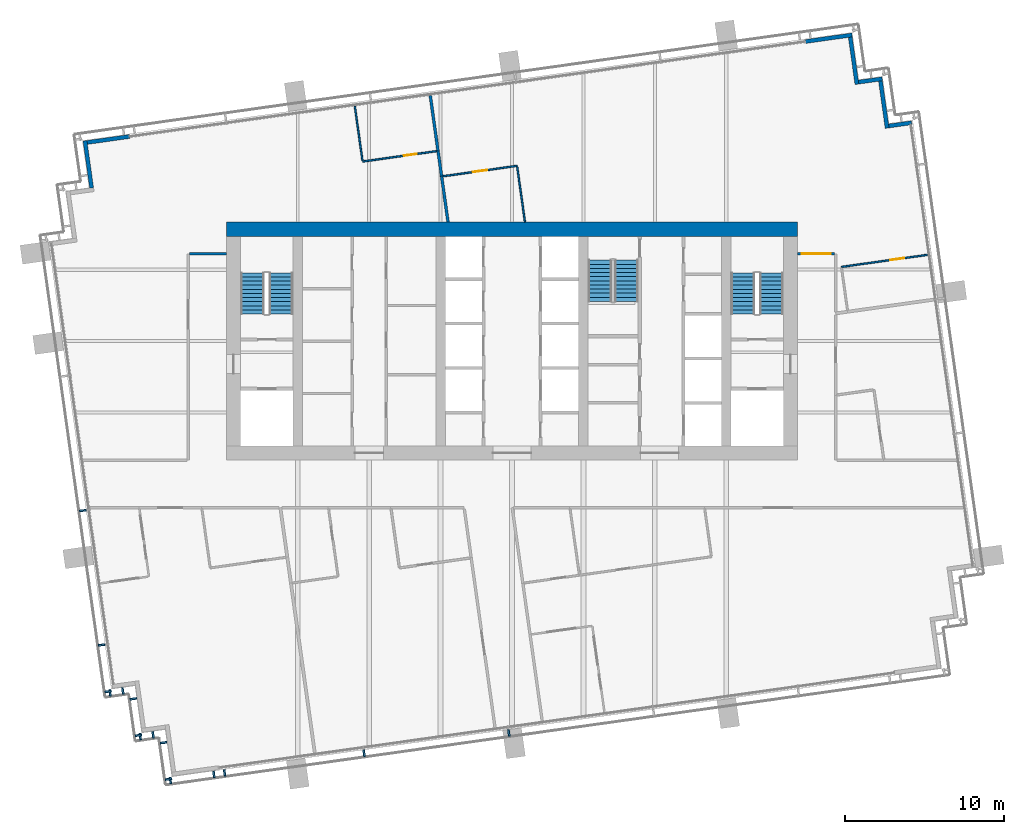
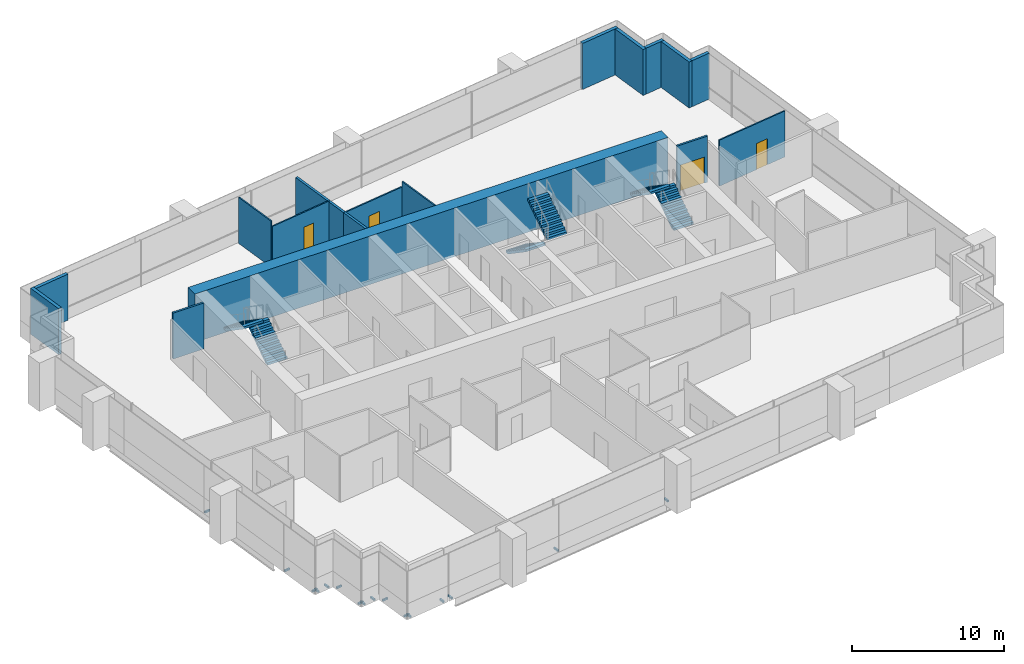
# One storey, part 12 of 18: 18 walls, 16 discrete accessories, 6 stair flights, 4 doors, 4 openings, 3 elements without a shape of their own.
"""IFC4 building model written with IfcOpenShell, lengths in metres."""

from ifc_helpers import new_model, si_unit, direction, frame, frame_2d, origin, origin_2d, place, context, subcontext, project, spatial, polyline, rectangle, outline, extrude, material, layer, layer_set, type_object, element, fill, aggregate, save


model = new_model("IFC4")

# Units and contexts
model_context = context("Model", 3, precision=1e-05, world=origin(), true_north=direction((0.0, 1.0)))
body_context = subcontext(model_context, "Body", "Model", "MODEL_VIEW")
ifc_project = project(units=[si_unit("LENGTHUNIT", "METRE"), si_unit("AREAUNIT", "SQUARE_METRE"), si_unit("VOLUMEUNIT", "CUBIC_METRE"), si_unit("PLANEANGLEUNIT", "RADIAN"), si_unit("MASSUNIT", "GRAM", prefix="KILO")], contexts=[model_context])

# Site, building, storey
site_placement = place(None, origin())
site = spatial("IfcSite", under=ifc_project, at=site_placement, CompositionType="ELEMENT")
building_placement = place(site_placement, origin())
building = spatial("IfcBuilding", under=site, at=building_placement, Name="Rattan Terrace Tower", CompositionType="ELEMENT")
storey_placement = place(building_placement, frame((0.0, 0.0, 176.300048828125)))
storey = spatial("IfcBuildingStorey", under=building, at=storey_placement, Name="L40", CompositionType="ELEMENT", Elevation=176.300048828125)

# Walls
ifc_material_1 = material(Name="Concrete C60/75", Category="concrete")
ifc_layer_1 = layer(ifc_material_1, 0.89990234375)
ifc_layer_set_1 = layer_set([ifc_layer_1], Name="Core ring wall 900 C60/75")
wall_type_1 = type_object("IfcWallType", Name="Core ring wall 900 C60/75", PredefinedType="SHEAR", material=ifc_layer_set_1)
wall_1_placement = place(storey_placement, frame((-18.0, 7.050048828125, -0.199951171875), z_axis=(0.0, 0.0, 1.0), x_axis=(1.0, 0.0, 0.0)))
element("IfcWall", 1, at=wall_1_placement, inside=storey, type_object=wall_type_1, Name="Rear core wall north", PredefinedType="SHEAR", context=body_context, shape_type="SweptSolid", body=[
    extrude(rectangle(XDim=36.0, YDim=0.89990234375, at=frame_2d((18.0, 0.0))), origin(), (0.0, 0.0, 1.0), 3.89990234375),
])
ifc_material_2 = material(Name="Insulated aluminium-clad stud wall", Category="aluminium")
ifc_layer_2 = layer(ifc_material_2, 0.25)
ifc_layer_set_2 = layer_set([ifc_layer_2], Name="Facade Riser Wall 250")
wall_type_2 = type_object("IfcWallType", Name="Facade Riser Wall 250", PredefinedType="SOLIDWALL", material=ifc_layer_set_2)
wall_2_placement = place(storey_placement, frame((25.18359375, 13.758056640625, 0.0), z_axis=(0.0, 0.0, 1.0), x_axis=(-0.9902493448, -0.13930626376, 0.0)))
element("IfcWall", 2, at=wall_2_placement, inside=storey, type_object=wall_type_2, Name="Riser wall L40-6", PredefinedType="SOLIDWALL", context=body_context, shape_type="SweptSolid", body=[
    extrude(rectangle(XDim=1.45458984375, YDim=0.25, at=frame_2d((0.727294921875, 0.0))), origin(), (0.0, 0.0, 1.0), 3.699951171875),
])
wall_3_placement = place(storey_placement, frame((23.63671875, 13.414306640625, 0.0), z_axis=(0.0, 0.0, 1.0), x_axis=(-0.139313431826, 0.990248336385, 0.0)))
element("IfcWall", 3, at=wall_3_placement, inside=storey, type_object=wall_type_2, Name="Riser wall L40-7", PredefinedType="SOLIDWALL", context=body_context, shape_type="SweptSolid", body=[
    extrude(rectangle(XDim=3.000244140625, YDim=0.25, at=frame_2d((1.5, 0.0))), origin(), (0.0, 0.0, 1.0), 3.699951171875),
])
wall_4_placement = place(storey_placement, frame((23.3251953125, 16.5263671875, 0.0), z_axis=(0.0, 0.0, 1.0), x_axis=(-0.990243596651, -0.13934711799, 0.0)))
element("IfcWall", 4, at=wall_4_placement, inside=storey, type_object=wall_type_2, Name="Riser wall L40-8", PredefinedType="SOLIDWALL", context=body_context, shape_type="SweptSolid", body=[
    extrude(rectangle(XDim=1.499755859375, YDim=0.25, at=frame_2d((0.75, 0.0))), origin(), (0.0, 0.0, 1.0), 3.699951171875),
])
wall_5_placement = place(storey_placement, frame((21.733642578125, 16.17626953125, 0.0), z_axis=(0.0, 0.0, 1.0), x_axis=(-0.139313431826, 0.990248336385, 0.0)))
element("IfcWall", 5, at=wall_5_placement, inside=storey, type_object=wall_type_2, Name="Riser wall L40-9", PredefinedType="SOLIDWALL", context=body_context, shape_type="SweptSolid", body=[
    extrude(rectangle(XDim=3.000244140625, YDim=0.25, at=frame_2d((1.5, 0.0))), origin(), (0.0, 0.0, 1.0), 3.699951171875),
])
wall_6_placement = place(storey_placement, frame((21.422119140625, 19.288330078125, 0.0), z_axis=(0.0, 0.0, 1.0), x_axis=(-0.990246427036, -0.139327002919, 0.0)))
element("IfcWall", 6, at=wall_6_placement, inside=storey, type_object=wall_type_2, Name="Riser wall L40-10", PredefinedType="SOLIDWALL", context=body_context, shape_type="SweptSolid", body=[
    extrude(rectangle(XDim=2.954345703125, YDim=0.25, at=frame_2d((1.47705078125, 0.0))), origin(), (0.0, 0.0, 1.0), 3.699951171875),
])
wall_7_placement = place(storey_placement, frame((-24.08544921875, 12.892578125, 0.0), z_axis=(0.0, 0.0, 1.0), x_axis=(-0.990255800966, -0.139260362823, 0.0)))
element("IfcWall", 7, at=wall_7_placement, inside=storey, type_object=wall_type_2, Name="Riser wall L40-11", PredefinedType="SOLIDWALL", context=body_context, shape_type="SweptSolid", body=[
    extrude(rectangle(XDim=2.705078125, YDim=0.25, at=frame_2d((1.3525390625, 0.0))), origin(), (0.0, 0.0, 1.0), 3.699951171875),
])
wall_8_placement = place(storey_placement, frame((-26.9052734375, 12.6220703125, 0.0), z_axis=(0.0, 0.0, 1.0), x_axis=(0.139313431826, -0.990248336385, 0.0)))
element("IfcWall", 8, at=wall_8_placement, inside=storey, type_object=wall_type_2, Name="Riser wall L40-12", PredefinedType="SOLIDWALL", context=body_context, shape_type="SweptSolid", body=[
    extrude(rectangle(XDim=3.000244140625, YDim=0.25, at=frame_2d((1.5, 0.0))), origin(), (0.0, 0.0, 1.0), 3.699951171875),
])
ifc_material_3 = material(Name="Double steel stud acoustic partition, gypsum board, mineral wool, fire rated", Category="steel")
ifc_layer_3 = layer(ifc_material_3, 0.179931640625)
ifc_layer_set_3 = layer_set([ifc_layer_3], Name="Floors Acoustic Party Wall 180")
wall_type_3 = type_object("IfcWallType", Name="Floors Acoustic Party Wall 180", PredefinedType="PARTITIONING", material=ifc_layer_set_3)
wall_9_placement = place(storey_placement, frame((-4.659912109375, 11.97998046875, 0.0), z_axis=(0.0, 0.0, 1.0), x_axis=(0.139096096116, -0.990278888013, 0.0)))
element("IfcWall", 9, at=wall_9_placement, inside=storey, type_object=wall_type_3, Name="pt-L40-043", PredefinedType="PARTITIONING", context=body_context, shape_type="SweptSolid", body=[
    extrude(rectangle(XDim=1.6025390625, YDim=0.179931640625, at=frame_2d((0.80126953125, 0.0))), origin(), (0.0, 0.0, 1.0), 3.25),
])
wall_10_placement = place(storey_placement, frame((-4.43701171875, 10.39306640625, 0.0), z_axis=(0.0, 0.0, 1.0), x_axis=(0.139303486007, -0.990249735565, 0.0)))
element("IfcWall", 10, at=wall_10_placement, inside=storey, type_object=wall_type_3, Name="pt-L40-044", PredefinedType="PARTITIONING", context=body_context, shape_type="SweptSolid", body=[
    extrude(rectangle(XDim=2.921630859375, YDim=0.179931640625, at=frame_2d((1.4609375, 0.0))), origin(), (0.0, 0.0, 1.0), 3.25),
])
wall_11_placement = place(storey_placement, frame((-5.14892578125, 15.462890625, 0.0), z_axis=(0.0, 0.0, 1.0), x_axis=(0.139039982937, -0.990286768136, 0.0)))
element("IfcWall", 11, at=wall_11_placement, inside=storey, type_object=wall_type_3, Name="pt-L40-045", PredefinedType="PARTITIONING", context=body_context, shape_type="SweptSolid", body=[
    extrude(rectangle(XDim=3.51708984375, YDim=0.179931640625, at=frame_2d((1.758544921875, 0.0))), origin(), (0.0, 0.0, 1.0), 3.25),
])
ifc_material_4 = material(Name="Gypsum board partition on steel studs", Category="steel")
ifc_layer_4 = layer(ifc_material_4, 0.10009765625)
ifc_layer_set_4 = layer_set([ifc_layer_4], Name="Floors Partition 100")
wall_type_4 = type_object("IfcWallType", Name="Floors Partition 100", PredefinedType="PARTITIONING", material=ifc_layer_set_4)
wall_12_placement = place(storey_placement, frame((-9.902099609375, 14.7939453125, 0.0), z_axis=(0.0, 0.0, 1.0), x_axis=(0.139094045424, -0.990279176055, 0.0)))
element("IfcWall", 12, at=wall_12_placement, inside=storey, type_object=wall_type_4, Name="pt-L40-041", PredefinedType="PARTITIONING", context=body_context, shape_type="SweptSolid", body=[
    extrude(rectangle(XDim=3.466552734375, YDim=0.10009765625, at=frame_2d((1.7333984375, 0.0))), origin(), (0.0, 0.0, 1.0), 3.699951171875),
])

# Wall, opening, door
wall_13_placement = place(storey_placement, frame((-9.4130859375, 11.31201171875, 0.0), z_axis=(0.0, 0.0, 1.0), x_axis=(0.99025300455, 0.139280246191, 0.0)))
wall_13 = element("IfcWall", 13, at=wall_13_placement, inside=storey, type_object=wall_type_4, Name="pt-L40-042", PredefinedType="PARTITIONING", context=body_context, shape_type="SweptSolid", body=[
    extrude(rectangle(XDim=4.7099609375, YDim=0.10009765625, at=frame_2d((2.35498046875, 0.0))), origin(), (0.0, 0.0, 1.0), 3.300048828125),
])
opening_1_placement = place(wall_13_placement, frame((2.636962890625, 0.0, 0.0)))
opening_1 = element("IfcOpeningElement", 14, at=opening_1_placement, cuts=wall_13, Name="Opening L40-D111", PredefinedType="OPENING", context=body_context, shape_type="SweptSolid", body=[
    extrude(rectangle(XDim=0.800048828125, YDim=2.10009765625, at=frame_2d((0.39990234375, 1.050048828125))), frame((0.0, 0.060546875, 0.0), z_axis=(0.0, -1.0, 0.0), x_axis=(1.0, 0.0, 0.0)), (0.0, 0.0, 1.0), 0.12109375),
])
ifc_material_5 = material(Name="Solid core timber door, painted", Category="wood")
door_type_1 = type_object("IfcDoorType", Name="Floors Store Door 800x2100", OperationType="NOTDEFINED", PredefinedType="DOOR", material=ifc_material_5)
door_1_placement = place(opening_1_placement, origin())
door_1 = element("IfcDoor", 15, at=door_1_placement, inside=storey, type_object=door_type_1, Name="d-L40-111", OperationType="SINGLE_SWING_RIGHT", OverallHeight=2.10009765625, OverallWidth=0.800048828125, PredefinedType="DOOR", context=body_context, shape_type="SweptSolid", body=[
    extrude(rectangle(XDim=0.800048828125, YDim=2.10009765625, at=frame_2d((0.39990234375, 1.050048828125))), frame((0.0, 0.02490234375, 0.0), z_axis=(0.0, -1.0, 0.0), x_axis=(1.0, 0.0, 0.0)), (0.0, 0.0, 1.0), 0.050048828125),
])
fill(opening_1, door_1)

wall_14_placement = place(storey_placement, frame((26.180908203125, 5.43505859375, 0.0), z_axis=(0.0, 0.0, 1.0), x_axis=(-0.990283537783, -0.13906298859, 0.0)))
wall_14 = element("IfcWall", 16, at=wall_14_placement, inside=storey, type_object=wall_type_4, Name="pt-L40-051", PredefinedType="PARTITIONING", context=body_context, shape_type="SweptSolid", body=[
    extrude(rectangle(XDim=5.479248046875, YDim=0.10009765625, at=frame_2d((2.73974609375, 0.0))), origin(), (0.0, 0.0, 1.0), 3.699951171875),
])
opening_2_placement = place(wall_14_placement, frame((1.47412109375, 0.0, 0.0)))
opening_2 = element("IfcOpeningElement", 17, at=opening_2_placement, cuts=wall_14, Name="Opening L40-D115", PredefinedType="OPENING", context=body_context, shape_type="SweptSolid", body=[
    extrude(rectangle(XDim=0.89990234375, YDim=2.10009765625, at=frame_2d((0.449951171875, 1.050048828125))), frame((0.0, 0.060546875, 0.0), z_axis=(0.0, -1.0, 0.0), x_axis=(1.0, 0.0, 0.0)), (0.0, 0.0, 1.0), 0.12109375),
])
ifc_material_6 = material(Name="Solid core timber door, painted", Category="wood")
door_type_2 = type_object("IfcDoorType", Name="Floors Door 900x2100", OperationType="NOTDEFINED", PredefinedType="DOOR", material=ifc_material_6)
door_2_placement = place(opening_2_placement, origin())
door_2 = element("IfcDoor", 18, at=door_2_placement, inside=storey, type_object=door_type_2, Name="d-L40-115", OperationType="SINGLE_SWING_LEFT", OverallHeight=2.10009765625, OverallWidth=0.89990234375, PredefinedType="DOOR", context=body_context, shape_type="SweptSolid", body=[
    extrude(rectangle(XDim=0.89990234375, YDim=2.10009765625, at=frame_2d((0.449951171875, 1.050048828125))), frame((0.0, 0.02490234375, 0.0), z_axis=(0.0, -1.0, 0.0), x_axis=(1.0, 0.0, 0.0)), (0.0, 0.0, 1.0), 0.050048828125),
])
fill(opening_2, door_2)

wall_15_placement = place(storey_placement, frame((0.319091796875, 11.041015625, 0.0), z_axis=(0.0, 0.0, 1.0), x_axis=(-0.99025300455, -0.139280246191, 0.0)))
wall_15 = element("IfcWall", 19, at=wall_15_placement, inside=storey, type_object=wall_type_4, Name="pt-L40-052", PredefinedType="PARTITIONING", context=body_context, shape_type="SweptSolid", body=[
    extrude(rectangle(XDim=4.7099609375, YDim=0.10009765625, at=frame_2d((2.35498046875, 0.0))), origin(), (0.0, 0.0, 1.0), 3.25),
])
opening_3_placement = place(wall_15_placement, frame((1.905029296875, 0.0, 0.0)))
opening_3 = element("IfcOpeningElement", 20, at=opening_3_placement, cuts=wall_15, Name="Opening L40-D116", PredefinedType="OPENING", context=body_context, shape_type="SweptSolid", body=[
    extrude(rectangle(XDim=0.89990234375, YDim=2.10009765625, at=frame_2d((0.449951171875, 1.050048828125))), frame((0.0, 0.060546875, 0.0), z_axis=(0.0, -1.0, 0.0), x_axis=(1.0, 0.0, 0.0)), (0.0, 0.0, 1.0), 0.12109375),
])
door_3_placement = place(opening_3_placement, origin())
door_3 = element("IfcDoor", 21, at=door_3_placement, inside=storey, type_object=door_type_2, Name="d-L40-116", OperationType="SINGLE_SWING_LEFT", OverallHeight=2.10009765625, OverallWidth=0.89990234375, PredefinedType="DOOR", context=body_context, shape_type="SweptSolid", body=[
    extrude(rectangle(XDim=0.89990234375, YDim=2.10009765625, at=frame_2d((0.449951171875, 1.050048828125))), frame((0.0, 0.02490234375, 0.0), z_axis=(0.0, -1.0, 0.0), x_axis=(1.0, 0.0, 0.0)), (0.0, 0.0, 1.0), 0.050048828125),
])
fill(opening_3, door_3)

# Walls
wall_16_placement = place(storey_placement, frame((0.81689453125, 7.5, 0.0), z_axis=(0.0, 0.0, 1.0), x_axis=(-0.139230432727, 0.990260009595, 0.0)))
element("IfcWall", 22, at=wall_16_placement, inside=storey, type_object=wall_type_4, Name="pt-L40-053", PredefinedType="PARTITIONING", context=body_context, shape_type="SweptSolid", body=[
    extrude(rectangle(XDim=3.5263671875, YDim=0.10009765625, at=frame_2d((1.76318359375, 0.0))), origin(), (0.0, 0.0, 1.0), 3.699951171875),
])
ifc_material_7 = material(Name="Gypsum board partition on steel studs, fire rated", Category="steel")
ifc_layer_5 = layer(ifc_material_7, 0.14990234375)
ifc_layer_set_5 = layer_set([ifc_layer_5], Name="Floors Tenancy Wall 150")
wall_type_5 = type_object("IfcWallType", Name="Floors Tenancy Wall 150", PredefinedType="PARTITIONING", material=ifc_layer_set_5)
wall_17_placement = place(storey_placement, frame((-20.324951171875, 5.5009765625, 0.0), z_axis=(0.0, 0.0, 1.0), x_axis=(1.0, 0.0, 0.0)))
element("IfcWall", 23, at=wall_17_placement, inside=storey, type_object=wall_type_5, Name="pt-L40-017", PredefinedType="PARTITIONING", context=body_context, shape_type="SweptSolid", body=[
    extrude(rectangle(XDim=2.324951171875, YDim=0.14990234375, at=frame_2d((1.16259765625, 0.0))), origin(), (0.0, 0.0, 1.0), 3.699951171875),
])

# Wall, opening, door
wall_18_placement = place(storey_placement, frame((18.0, 5.5009765625, 0.0), z_axis=(0.0, 0.0, 1.0), x_axis=(1.0, 0.0, 0.0)))
wall_18 = element("IfcWall", 24, at=wall_18_placement, inside=storey, type_object=wall_type_5, Name="pt-L40-022", PredefinedType="PARTITIONING", context=body_context, shape_type="SweptSolid", body=[
    extrude(rectangle(XDim=2.324951171875, YDim=0.14990234375, at=frame_2d((1.16259765625, 0.0))), origin(), (0.0, 0.0, 1.0), 3.699951171875),
])
opening_4_placement = place(wall_18_placement, frame((0.26806640625, 0.0, 0.0)))
opening_4 = element("IfcOpeningElement", 25, at=opening_4_placement, cuts=wall_18, Name="Opening L40-D114", PredefinedType="OPENING", context=body_context, shape_type="SweptSolid", body=[
    extrude(rectangle(XDim=1.800048828125, YDim=2.10009765625, at=frame_2d((0.89990234375, 1.050048828125))), frame((0.0, 0.08544921875, 0.0), z_axis=(0.0, -1.0, 0.0), x_axis=(1.0, 0.0, 0.0)), (0.0, 0.0, 1.0), 0.1708984375),
])
ifc_material_8 = material(Name="Steel fire door set", Category="steel")
door_type_3 = type_object("IfcDoorType", Name="Floors Fire Door Pair FD30S 1800x2100", OperationType="NOTDEFINED", PredefinedType="DOOR", material=ifc_material_8)
door_4_placement = place(opening_4_placement, origin())
door_4 = element("IfcDoor", 26, at=door_4_placement, inside=storey, type_object=door_type_3, Name="d-L40-114", OperationType="DOUBLE_DOOR_SINGLE_SWING", OverallHeight=2.10009765625, OverallWidth=1.800048828125, PredefinedType="DOOR", context=body_context, shape_type="SweptSolid", body=[
    extrude(rectangle(XDim=1.800048828125, YDim=2.10009765625, at=frame_2d((0.89990234375, 1.050048828125))), frame((0.0, 0.02490234375, 0.0), z_axis=(0.0, -1.0, 0.0), x_axis=(1.0, 0.0, 0.0)), (0.0, 0.0, 1.0), 0.050048828125),
])
fill(opening_4, door_4)

# Stair, stair flights
ifc_material_9 = material(Name="Concrete C40/50", Category="concrete")
stair_type = type_object("IfcStairType", Name="Core exit stair 1500", PredefinedType="HALF_TURN_STAIR", material=ifc_material_9)
stair_1_placement = place(storey_placement, origin())
stair_1 = element("IfcStair", 27, at=stair_1_placement, inside=storey, type_object=stair_type, Name="L40 exit stair 1", PredefinedType="HALF_TURN_STAIR")
ifc_material_10 = material(Name="Concrete C40/50", Category="concrete")
stair_flight_type = type_object("IfcStairFlightType", Name="Core exit stair flight 1500", PredefinedType="STRAIGHT", material=ifc_material_10)
stair_flight_1_placement = place(storey_placement, frame((-14.550048828125, 1.699951171875, 0.0), z_axis=(0.0, 0.0, 1.0), x_axis=(0.0, 1.0, 0.0)))
stair_flight_1 = element("IfcStairFlight", 28, at=stair_flight_1_placement, type_object=stair_flight_type, Name="S1 flight 1", NumberOfRisers=11, NumberOfTreads=10, PredefinedType="STRAIGHT", RiserHeight=0.177272727, TreadLength=0.26, context=body_context, shape_type="SweptSolid", body=[
    extrude(outline(polyline([(0.0, 0.0), (0.0, 0.17724609375), (0.260009765625, 0.17724609375), (0.260009765625, 0.3544921875), (0.52001953125, 0.3544921875), (0.52001953125, 0.53173828125), (0.780029296875, 0.53173828125), (0.780029296875, 0.708984375), (1.0400390625, 0.708984375), (1.0400390625, 0.886474609375), (1.300048828125, 0.886474609375), (1.300048828125, 1.063720703125), (1.56005859375, 1.063720703125), (1.56005859375, 1.240966796875), (1.820068359375, 1.240966796875), (1.820068359375, 1.418212890625), (2.080078125, 1.418212890625), (2.080078125, 1.595458984375), (2.340087890625, 1.595458984375), (2.340087890625, 1.772705078125), (2.60009765625, 1.772705078125), (2.60009765625, 1.949951171875), (2.60009765625, 1.59130859375), (0.26611328125, 0.0), (0.0, 0.0)])), frame((0.0, 0.75, 0.0), z_axis=(0.0, -1.0, 0.0), x_axis=(1.0, 0.0, 0.0)), (0.0, 0.0, 1.0), 1.5),
])
stair_flight_2_placement = place(storey_placement, frame((-16.35009765625, 4.300048828125, 1.949951171875), z_axis=(0.0, 0.0, 1.0), x_axis=(0.0, -1.0, 0.0)))
stair_flight_2 = element("IfcStairFlight", 29, at=stair_flight_2_placement, type_object=stair_flight_type, Name="S1 flight 2", NumberOfRisers=11, NumberOfTreads=10, PredefinedType="STRAIGHT", RiserHeight=0.177272727, TreadLength=0.26, context=body_context, shape_type="SweptSolid", body=[
    extrude(outline(polyline([(0.0, 0.0), (0.0, 0.17724609375), (0.260009765625, 0.17724609375), (0.260009765625, 0.3544921875), (0.52001953125, 0.3544921875), (0.52001953125, 0.53173828125), (0.780029296875, 0.53173828125), (0.780029296875, 0.708984375), (1.0400390625, 0.708984375), (1.0400390625, 0.886474609375), (1.300048828125, 0.886474609375), (1.300048828125, 1.063720703125), (1.56005859375, 1.063720703125), (1.56005859375, 1.240966796875), (1.820068359375, 1.240966796875), (1.820068359375, 1.418212890625), (2.080078125, 1.418212890625), (2.080078125, 1.595458984375), (2.340087890625, 1.595458984375), (2.340087890625, 1.772705078125), (2.60009765625, 1.772705078125), (2.60009765625, 1.949951171875), (2.60009765625, 1.59130859375), (0.26611328125, 0.0), (0.0, 0.0)])), frame((0.0, 0.75, 0.0), z_axis=(0.0, -1.0, 0.0), x_axis=(1.0, 0.0, 0.0)), (0.0, 0.0, 1.0), 1.5),
])
aggregate(stair_1, [stair_flight_1, stair_flight_2])

stair_2_placement = place(storey_placement, origin())
stair_2 = element("IfcStair", 30, at=stair_2_placement, inside=storey, type_object=stair_type, Name="L40 exit stair 2", PredefinedType="HALF_TURN_STAIR")
stair_flight_3_placement = place(storey_placement, frame((16.35009765625, 1.699951171875, 0.0), z_axis=(0.0, 0.0, 1.0), x_axis=(0.0, 1.0, 0.0)))
stair_flight_3 = element("IfcStairFlight", 31, at=stair_flight_3_placement, type_object=stair_flight_type, Name="S2 flight 1", NumberOfRisers=11, NumberOfTreads=10, PredefinedType="STRAIGHT", RiserHeight=0.177272727, TreadLength=0.26, context=body_context, shape_type="SweptSolid", body=[
    extrude(outline(polyline([(0.0, 0.0), (0.0, 0.17724609375), (0.260009765625, 0.17724609375), (0.260009765625, 0.3544921875), (0.52001953125, 0.3544921875), (0.52001953125, 0.53173828125), (0.780029296875, 0.53173828125), (0.780029296875, 0.708984375), (1.0400390625, 0.708984375), (1.0400390625, 0.886474609375), (1.300048828125, 0.886474609375), (1.300048828125, 1.063720703125), (1.56005859375, 1.063720703125), (1.56005859375, 1.240966796875), (1.820068359375, 1.240966796875), (1.820068359375, 1.418212890625), (2.080078125, 1.418212890625), (2.080078125, 1.595458984375), (2.340087890625, 1.595458984375), (2.340087890625, 1.772705078125), (2.60009765625, 1.772705078125), (2.60009765625, 1.949951171875), (2.60009765625, 1.59130859375), (0.26611328125, 0.0), (0.0, 0.0)])), frame((0.0, 0.75, 0.0), z_axis=(0.0, -1.0, 0.0), x_axis=(1.0, 0.0, 0.0)), (0.0, 0.0, 1.0), 1.5),
])
stair_flight_4_placement = place(storey_placement, frame((14.550048828125, 4.300048828125, 1.949951171875), z_axis=(0.0, 0.0, 1.0), x_axis=(0.0, -1.0, 0.0)))
stair_flight_4 = element("IfcStairFlight", 32, at=stair_flight_4_placement, type_object=stair_flight_type, Name="S2 flight 2", NumberOfRisers=11, NumberOfTreads=10, PredefinedType="STRAIGHT", RiserHeight=0.177272727, TreadLength=0.26, context=body_context, shape_type="SweptSolid", body=[
    extrude(outline(polyline([(0.0, 0.0), (0.0, 0.17724609375), (0.260009765625, 0.17724609375), (0.260009765625, 0.3544921875), (0.52001953125, 0.3544921875), (0.52001953125, 0.53173828125), (0.780029296875, 0.53173828125), (0.780029296875, 0.708984375), (1.0400390625, 0.708984375), (1.0400390625, 0.886474609375), (1.300048828125, 0.886474609375), (1.300048828125, 1.063720703125), (1.56005859375, 1.063720703125), (1.56005859375, 1.240966796875), (1.820068359375, 1.240966796875), (1.820068359375, 1.418212890625), (2.080078125, 1.418212890625), (2.080078125, 1.595458984375), (2.340087890625, 1.595458984375), (2.340087890625, 1.772705078125), (2.60009765625, 1.772705078125), (2.60009765625, 1.949951171875), (2.60009765625, 1.59130859375), (0.26611328125, 0.0), (0.0, 0.0)])), frame((0.0, 0.75, 0.0), z_axis=(0.0, -1.0, 0.0), x_axis=(1.0, 0.0, 0.0)), (0.0, 0.0, 1.0), 1.5),
])
aggregate(stair_2, [stair_flight_3, stair_flight_4])

stair_3_placement = place(storey_placement, origin())
stair_3 = element("IfcStair", 33, at=stair_3_placement, inside=storey, type_object=stair_type, Name="L40 exit stair 3", PredefinedType="HALF_TURN_STAIR")
stair_flight_5_placement = place(storey_placement, frame((5.550048828125, 5.10009765625, 0.0), z_axis=(0.0, 0.0, 1.0), x_axis=(0.0, -1.0, 0.0)))
stair_flight_5 = element("IfcStairFlight", 34, at=stair_flight_5_placement, type_object=stair_flight_type, Name="S3 flight 1", NumberOfRisers=11, NumberOfTreads=10, PredefinedType="STRAIGHT", RiserHeight=0.177272727, TreadLength=0.26, context=body_context, shape_type="SweptSolid", body=[
    extrude(outline(polyline([(0.0, 0.0), (0.0, 0.17724609375), (0.260009765625, 0.17724609375), (0.260009765625, 0.3544921875), (0.52001953125, 0.3544921875), (0.52001953125, 0.53173828125), (0.780029296875, 0.53173828125), (0.780029296875, 0.708984375), (1.0400390625, 0.708984375), (1.0400390625, 0.886474609375), (1.300048828125, 0.886474609375), (1.300048828125, 1.063720703125), (1.56005859375, 1.063720703125), (1.56005859375, 1.240966796875), (1.820068359375, 1.240966796875), (1.820068359375, 1.418212890625), (2.080078125, 1.418212890625), (2.080078125, 1.595458984375), (2.340087890625, 1.595458984375), (2.340087890625, 1.772705078125), (2.60009765625, 1.772705078125), (2.60009765625, 1.949951171875), (2.60009765625, 1.59130859375), (0.26611328125, 0.0), (0.0, 0.0)])), frame((0.0, 0.75, 0.0), z_axis=(0.0, -1.0, 0.0), x_axis=(1.0, 0.0, 0.0)), (0.0, 0.0, 1.0), 1.5),
])
stair_flight_6_placement = place(storey_placement, frame((7.199951171875, 2.5, 1.949951171875), z_axis=(0.0, 0.0, 1.0), x_axis=(0.0, 1.0, 0.0)))
stair_flight_6 = element("IfcStairFlight", 35, at=stair_flight_6_placement, type_object=stair_flight_type, Name="S3 flight 2", NumberOfRisers=11, NumberOfTreads=10, PredefinedType="STRAIGHT", RiserHeight=0.177272727, TreadLength=0.26, context=body_context, shape_type="SweptSolid", body=[
    extrude(outline(polyline([(0.0, 0.0), (0.0, 0.17724609375), (0.260009765625, 0.17724609375), (0.260009765625, 0.3544921875), (0.52001953125, 0.3544921875), (0.52001953125, 0.53173828125), (0.780029296875, 0.53173828125), (0.780029296875, 0.708984375), (1.0400390625, 0.708984375), (1.0400390625, 0.886474609375), (1.300048828125, 0.886474609375), (1.300048828125, 1.063720703125), (1.56005859375, 1.063720703125), (1.56005859375, 1.240966796875), (1.820068359375, 1.240966796875), (1.820068359375, 1.418212890625), (2.080078125, 1.418212890625), (2.080078125, 1.595458984375), (2.340087890625, 1.595458984375), (2.340087890625, 1.772705078125), (2.60009765625, 1.772705078125), (2.60009765625, 1.949951171875), (2.60009765625, 1.59130859375), (0.26611328125, 0.0), (0.0, 0.0)])), frame((0.0, 0.75, 0.0), z_axis=(0.0, -1.0, 0.0), x_axis=(1.0, 0.0, 0.0)), (0.0, 0.0, 1.0), 1.5),
])
aggregate(stair_3, [stair_flight_5, stair_flight_6])

# Discrete accessories
for number, where, z_axis, x_axis, name in (
    (36, (-27.043701171875, -10.6787109375, -0.169921875), (0.0, 0.0, 1.0), (0.139190856006, -0.99026557327, 0.0), "Panel bracket L40-44"),
    (37, (-25.853759765625, -19.1455078125, -0.169921875), (0.0, 0.0, 1.0), (0.139190856006, -0.99026557327, 0.0), "Panel bracket L40-45"),
    (38, (-25.441650390625, -22.0771484375, -0.169921875), (0.0, 0.0, 1.0), (0.139190856006, -0.99026557327, 0.0), "Panel bracket L40-46"),
    (39, (-25.328857421875, -22.162353515625, -0.169921875), (0.0, 0.0, 1.0), (0.990240767803, 0.139367219175, 0.0), "Panel bracket L40-47"),
    (40, (-24.51708984375, -22.048095703125, -0.169921875), (0.0, 0.0, 1.0), (0.990240767803, 0.139367219175, 0.0), "Panel bracket L40-48"),
    (41, (-23.86181640625, -22.54150390625, -0.169921875), (0.0, 0.0, 1.0), (0.139321220646, -0.990247240581, 0.0), "Panel bracket L40-49"),
    (42, (-23.53857421875, -24.83935546875, -0.169921875), (0.0, 0.0, 1.0), (0.139321220646, -0.990247240581, 0.0), "Panel bracket L40-50"),
    (43, (-23.42578125, -24.92431640625, -0.169921875), (0.0, 0.0, 1.0), (0.990240767803, 0.139367219175, 0.0), "Panel bracket L40-51"),
    (44, (-22.614013671875, -24.81005859375, -0.169921875), (0.0, 0.0, 1.0), (0.990240767803, 0.139367219175, 0.0), "Panel bracket L40-52"),
    (45, (-21.958984375, -25.303466796875, -0.169921875), (0.0, 0.0, 1.0), (0.139321220646, -0.990247240581, 0.0), "Panel bracket L40-53"),
    (46, (-21.635498046875, -27.601318359375, -0.169921875), (0.0, 0.0, 1.0), (0.139321220646, -0.990247240581, 0.0), "Panel bracket L40-54"),
    (47, (-21.522705078125, -27.686279296875, -0.169921875), (0.0, 0.0, 1.0), (0.990240767803, 0.139367219175, 0.0), "Panel bracket L40-55"),
    (48, (-18.780517578125, -27.30029296875, -0.169921875), (0.0, 0.0, 1.0), (0.990240767803, 0.139367219175, 0.0), "Panel bracket L40-56"),
    (49, (-18.10693359375, -27.20556640625, -0.169921875), (0.0, 0.0, 1.0), (0.990269702686, 0.139161474347, 0.0), "Panel bracket L40-57"),
    (50, (-9.3203125, -25.970947265625, -0.169921875), (0.0, 0.0, 1.0), (0.990269702686, 0.139161474347, 0.0), "Panel bracket L40-58"),
    (51, (-0.197021484375, -24.688720703125, -0.169921875), (0.0, 0.0, 1.0), (0.990269702686, 0.139161474347, 0.0), "Panel bracket L40-59"),
):
    element("IfcDiscreteAccessory", number, at=place(storey_placement, frame(where, z_axis=z_axis, x_axis=x_axis)), inside=storey, Name=name, PredefinedType="BRACKET", context=body_context, shape_type="SweptSolid", body=[
        extrude(rectangle(XDim=0.1201171875, YDim=0.419921875, at=origin_2d()), origin(), (0.0, 0.0, 1.0), 0.139892578125),
    ])

save(model, "model.ifc")
